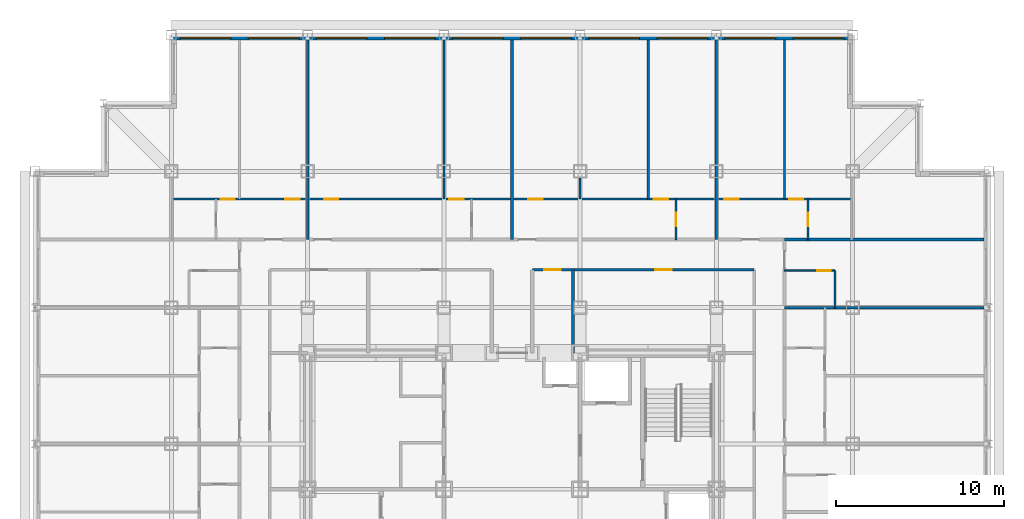
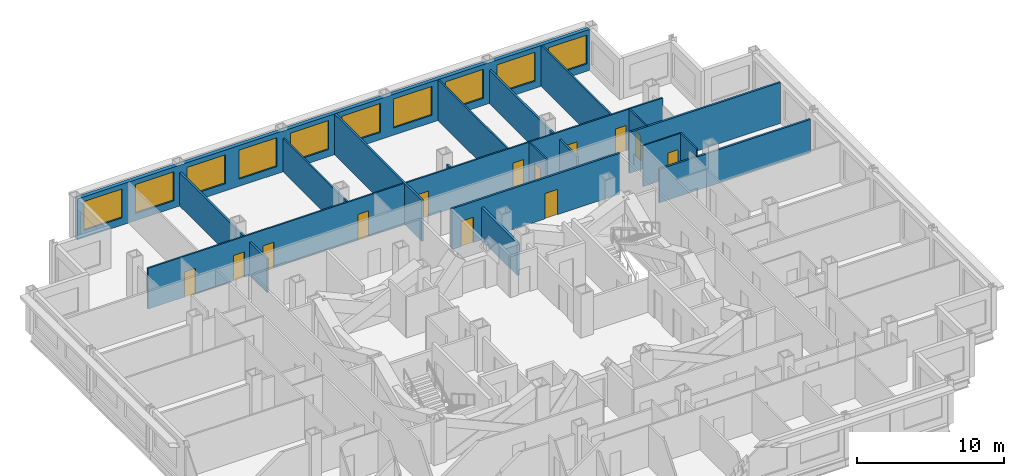
# One storey, part 10 of 12: 17 walls, 13 doors, 10 windows, 23 openings.
"""IFC4 building model written with IfcOpenShell, lengths in metres."""

from ifc_helpers import new_model, si_unit, direction, frame, frame_2d, origin, place, context, subcontext, project, spatial, rectangle, extrude, material, layer, layer_set, type_object, element, fill, save


model = new_model("IFC4")

# Units and contexts
model_context = context("Model", 3, precision=1e-05, world=origin(), true_north=direction((0.0, 1.0)))
body_context = subcontext(model_context, "Body", "Model", "MODEL_VIEW")
ifc_project = project(units=[si_unit("LENGTHUNIT", "METRE"), si_unit("AREAUNIT", "SQUARE_METRE"), si_unit("VOLUMEUNIT", "CUBIC_METRE"), si_unit("PLANEANGLEUNIT", "RADIAN"), si_unit("MASSUNIT", "GRAM", prefix="KILO")], contexts=[model_context])

# Site, building, storey
site_placement = place(None, origin())
site = spatial("IfcSite", under=ifc_project, at=site_placement, CompositionType="ELEMENT")
building_placement = place(site_placement, origin())
building = spatial("IfcBuilding", under=site, at=building_placement, Name="Kopane Lantern Tower", CompositionType="ELEMENT")
storey_placement = place(building_placement, frame((0.0, 0.0, 184.800048828125)))
storey = spatial("IfcBuildingStorey", under=building, at=storey_placement, Name="L47", CompositionType="ELEMENT", Elevation=184.800048828125)

# Walls
ifc_material_1 = material(Name="Gypsum board on steel studs", Category="steel")
ifc_layer_1 = layer(ifc_material_1, 0.1201171875)
ifc_layer_set_1 = layer_set([ifc_layer_1], Name="APARTMENT INTERNAL WALL 120")
wall_type_1 = type_object("IfcWallType", Name="APARTMENT INTERNAL WALL 120", PredefinedType="PARTITIONING", material=ifc_layer_set_1)
wall_1_placement = place(storey_placement, frame((24.300048828125, 49.64990234375, 0.0), z_axis=(0.0, 0.0, 1.0), x_axis=(0.0, 1.0, 0.0)))
element("IfcWall", 1, at=wall_1_placement, inside=storey, type_object=wall_type_1, Name="Apartment Internal Wall 120 L47", PredefinedType="PARTITIONING", context=body_context, shape_type="SweptSolid", body=[
    extrude(rectangle(XDim=9.4501953125, YDim=0.1201171875, at=frame_2d((4.72509765625, 0.0))), origin(), (0.0, 0.0, 1.0), 2.77783203125),
])
for number, where, z_axis, x_axis, name in (
    (2, (36.449951171875, 49.64990234375, 0.0), (0.0, 0.0, 1.0), (0.0, 1.0, 0.0), "Apartment Internal Wall 120 L47"),
    (3, (44.550048828125, 49.64990234375, 0.0), (0.0, 0.0, 1.0), (0.0, 1.0, 0.0), "Apartment Internal Wall 120 L47"),
):
    element("IfcWall", number, at=place(storey_placement, frame(where, z_axis=z_axis, x_axis=x_axis)), inside=storey, type_object=wall_type_1, Name=name, PredefinedType="PARTITIONING", context=body_context, shape_type="SweptSolid", body=[
        extrude(rectangle(XDim=9.4501953125, YDim=0.1201171875, at=frame_2d((4.72509765625, 0.0))), origin(), (0.0, 0.0, 1.0), 3.389892578125),
    ])

# Wall, openings, doors
wall_2_placement = place(storey_placement, frame((8.14990234375, 49.64990234375, 0.0), z_axis=(0.0, 0.0, 1.0), x_axis=(1.0, 0.0, 0.0)))
wall_2 = element("IfcWall", 4, at=wall_2_placement, inside=storey, type_object=wall_type_1, Name="Apartment Internal Wall 120 L47", PredefinedType="PARTITIONING", context=body_context, shape_type="SweptSolid", body=[
    extrude(rectangle(XDim=40.400146484375, YDim=0.1201171875, at=frame_2d((20.2001953125, 0.0))), origin(), (0.0, 0.0, 1.0), 3.389892578125),
])
opening_1_placement = place(wall_2_placement, frame((9.02490234375, 0.0, 0.0)))
opening_1 = element("IfcOpeningElement", 5, at=opening_1_placement, cuts=wall_2, Name="Opening L47-026", PredefinedType="OPENING", context=body_context, shape_type="SweptSolid", body=[
    extrude(rectangle(XDim=0.85009765625, YDim=2.10009765625, at=frame_2d((0.425048828125, 1.050048828125))), frame((0.0, 0.070068359375, 0.0), z_axis=(0.0, -1.0, 0.0), x_axis=(1.0, 0.0, 0.0)), (0.0, 0.0, 1.0), 0.14013671875),
])
opening_2_placement = place(wall_2_placement, frame((16.47509765625, 0.0, 0.0)))
opening_2 = element("IfcOpeningElement", 6, at=opening_2_placement, cuts=wall_2, Name="Opening L47-027", PredefinedType="OPENING", context=body_context, shape_type="SweptSolid", body=[
    extrude(rectangle(XDim=0.85009765625, YDim=2.10009765625, at=frame_2d((0.425048828125, 1.050048828125))), frame((0.0, 0.070068359375, 0.0), z_axis=(0.0, -1.0, 0.0), x_axis=(1.0, 0.0, 0.0)), (0.0, 0.0, 1.0), 0.14013671875),
])
opening_3_placement = place(wall_2_placement, frame((21.175048828125, 0.0, 0.0)))
opening_3 = element("IfcOpeningElement", 7, at=opening_3_placement, cuts=wall_2, Name="Opening L47-030", PredefinedType="OPENING", context=body_context, shape_type="SweptSolid", body=[
    extrude(rectangle(XDim=0.85009765625, YDim=2.10009765625, at=frame_2d((0.425048828125, 1.050048828125))), frame((0.0, 0.070068359375, 0.0), z_axis=(0.0, -1.0, 0.0), x_axis=(1.0, 0.0, 0.0)), (0.0, 0.0, 1.0), 0.14013671875),
])
opening_4_placement = place(wall_2_placement, frame((28.625, 0.0, 0.0)))
opening_4 = element("IfcOpeningElement", 8, at=opening_4_placement, cuts=wall_2, Name="Opening L47-031", PredefinedType="OPENING", context=body_context, shape_type="SweptSolid", body=[
    extrude(rectangle(XDim=0.85009765625, YDim=2.10009765625, at=frame_2d((0.425048828125, 1.050048828125))), frame((0.0, 0.070068359375, 0.0), z_axis=(0.0, -1.0, 0.0), x_axis=(1.0, 0.0, 0.0)), (0.0, 0.0, 1.0), 0.14013671875),
])
opening_5_placement = place(wall_2_placement, frame((32.824951171875, 0.0, 0.0)))
opening_5 = element("IfcOpeningElement", 9, at=opening_5_placement, cuts=wall_2, Name="Opening L47-069", PredefinedType="OPENING", context=body_context, shape_type="SweptSolid", body=[
    extrude(rectangle(XDim=0.85009765625, YDim=2.10009765625, at=frame_2d((0.425048828125, 1.050048828125))), frame((0.0, 0.070068359375, 0.0), z_axis=(0.0, -1.0, 0.0), x_axis=(1.0, 0.0, 0.0)), (0.0, 0.0, 1.0), 0.14013671875),
])
opening_6_placement = place(wall_2_placement, frame((36.675048828125, 0.0, 0.0)))
opening_6 = element("IfcOpeningElement", 10, at=opening_6_placement, cuts=wall_2, Name="Opening L47-071", PredefinedType="OPENING", context=body_context, shape_type="SweptSolid", body=[
    extrude(rectangle(XDim=0.85009765625, YDim=2.10009765625, at=frame_2d((0.425048828125, 1.050048828125))), frame((0.0, 0.070068359375, 0.0), z_axis=(0.0, -1.0, 0.0), x_axis=(1.0, 0.0, 0.0)), (0.0, 0.0, 1.0), 0.14013671875),
])
opening_7_placement = place(wall_2_placement, frame((6.72509765625, 0.0, 0.0)))
opening_7 = element("IfcOpeningElement", 11, at=opening_7_placement, cuts=wall_2, Name="Opening L47-073", PredefinedType="OPENING", context=body_context, shape_type="SweptSolid", body=[
    extrude(rectangle(XDim=0.85009765625, YDim=2.10009765625, at=frame_2d((0.425048828125, 1.050048828125))), frame((0.0, 0.070068359375, 0.0), z_axis=(0.0, -1.0, 0.0), x_axis=(1.0, 0.0, 0.0)), (0.0, 0.0, 1.0), 0.14013671875),
])
opening_8_placement = place(wall_2_placement, frame((2.875, 0.0, 0.0)))
opening_8 = element("IfcOpeningElement", 12, at=opening_8_placement, cuts=wall_2, Name="Opening L47-075", PredefinedType="OPENING", context=body_context, shape_type="SweptSolid", body=[
    extrude(rectangle(XDim=0.85009765625, YDim=2.10009765625, at=frame_2d((0.425048828125, 1.050048828125))), frame((0.0, 0.070068359375, 0.0), z_axis=(0.0, -1.0, 0.0), x_axis=(1.0, 0.0, 0.0)), (0.0, 0.0, 1.0), 0.14013671875),
])
ifc_material_2 = material(Name="Timber door set", Category="wood")
door_type_1 = type_object("IfcDoorType", Name="DOOR D4 850x2100", OperationType="SINGLE_SWING_LEFT", PredefinedType="DOOR", material=ifc_material_2)
door_1_placement = place(opening_1_placement, origin())
door_1 = element("IfcDoor", 13, at=door_1_placement, inside=storey, type_object=door_type_1, Name="Door L47-026", OperationType="SINGLE_SWING_LEFT", OverallHeight=2.10009765625, OverallWidth=0.85009765625, PredefinedType="DOOR", context=body_context, shape_type="SweptSolid", body=[
    extrude(rectangle(XDim=0.85009765625, YDim=2.10009765625, at=frame_2d((0.425048828125, 1.050048828125))), frame((0.0, 0.02490234375, 0.0), z_axis=(0.0, -1.0, 0.0), x_axis=(1.0, 0.0, 0.0)), (0.0, 0.0, 1.0), 0.050048828125),
])
fill(opening_1, door_1)
door_2_placement = place(opening_2_placement, origin())
door_2 = element("IfcDoor", 14, at=door_2_placement, inside=storey, type_object=door_type_1, Name="Door L47-027", OperationType="SINGLE_SWING_LEFT", OverallHeight=2.10009765625, OverallWidth=0.85009765625, PredefinedType="DOOR", context=body_context, shape_type="SweptSolid", body=[
    extrude(rectangle(XDim=0.85009765625, YDim=2.10009765625, at=frame_2d((0.425048828125, 1.050048828125))), frame((0.0, 0.02490234375, 0.0), z_axis=(0.0, -1.0, 0.0), x_axis=(1.0, 0.0, 0.0)), (0.0, 0.0, 1.0), 0.050048828125),
])
fill(opening_2, door_2)
door_3_placement = place(opening_3_placement, origin())
door_3 = element("IfcDoor", 15, at=door_3_placement, inside=storey, type_object=door_type_1, Name="Door L47-030", OperationType="SINGLE_SWING_RIGHT", OverallHeight=2.10009765625, OverallWidth=0.85009765625, PredefinedType="DOOR", context=body_context, shape_type="SweptSolid", body=[
    extrude(rectangle(XDim=0.85009765625, YDim=2.10009765625, at=frame_2d((0.425048828125, 1.050048828125))), frame((0.0, 0.02490234375, 0.0), z_axis=(0.0, -1.0, 0.0), x_axis=(1.0, 0.0, 0.0)), (0.0, 0.0, 1.0), 0.050048828125),
])
fill(opening_3, door_3)
door_4_placement = place(opening_4_placement, origin())
door_4 = element("IfcDoor", 16, at=door_4_placement, inside=storey, type_object=door_type_1, Name="Door L47-031", OperationType="SINGLE_SWING_LEFT", OverallHeight=2.10009765625, OverallWidth=0.85009765625, PredefinedType="DOOR", context=body_context, shape_type="SweptSolid", body=[
    extrude(rectangle(XDim=0.85009765625, YDim=2.10009765625, at=frame_2d((0.425048828125, 1.050048828125))), frame((0.0, 0.02490234375, 0.0), z_axis=(0.0, -1.0, 0.0), x_axis=(1.0, 0.0, 0.0)), (0.0, 0.0, 1.0), 0.050048828125),
])
fill(opening_4, door_4)
door_5_placement = place(opening_5_placement, origin())
door_5 = element("IfcDoor", 17, at=door_5_placement, inside=storey, type_object=door_type_1, Name="Door L47-069", OperationType="SINGLE_SWING_RIGHT", OverallHeight=2.10009765625, OverallWidth=0.85009765625, PredefinedType="DOOR", context=body_context, shape_type="SweptSolid", body=[
    extrude(rectangle(XDim=0.85009765625, YDim=2.10009765625, at=frame_2d((0.425048828125, 1.050048828125))), frame((0.0, 0.02490234375, 0.0), z_axis=(0.0, -1.0, 0.0), x_axis=(1.0, 0.0, 0.0)), (0.0, 0.0, 1.0), 0.050048828125),
])
fill(opening_5, door_5)
door_6_placement = place(opening_6_placement, origin())
door_6 = element("IfcDoor", 18, at=door_6_placement, inside=storey, type_object=door_type_1, Name="Door L47-071", OperationType="SINGLE_SWING_LEFT", OverallHeight=2.10009765625, OverallWidth=0.85009765625, PredefinedType="DOOR", context=body_context, shape_type="SweptSolid", body=[
    extrude(rectangle(XDim=0.85009765625, YDim=2.10009765625, at=frame_2d((0.425048828125, 1.050048828125))), frame((0.0, 0.02490234375, 0.0), z_axis=(0.0, -1.0, 0.0), x_axis=(1.0, 0.0, 0.0)), (0.0, 0.0, 1.0), 0.050048828125),
])
fill(opening_6, door_6)
door_7_placement = place(opening_7_placement, origin())
door_7 = element("IfcDoor", 19, at=door_7_placement, inside=storey, type_object=door_type_1, Name="Door L47-073", OperationType="SINGLE_SWING_LEFT", OverallHeight=2.10009765625, OverallWidth=0.85009765625, PredefinedType="DOOR", context=body_context, shape_type="SweptSolid", body=[
    extrude(rectangle(XDim=0.85009765625, YDim=2.10009765625, at=frame_2d((0.425048828125, 1.050048828125))), frame((0.0, 0.02490234375, 0.0), z_axis=(0.0, -1.0, 0.0), x_axis=(1.0, 0.0, 0.0)), (0.0, 0.0, 1.0), 0.050048828125),
])
fill(opening_7, door_7)
door_8_placement = place(opening_8_placement, origin())
door_8 = element("IfcDoor", 20, at=door_8_placement, inside=storey, type_object=door_type_1, Name="Door L47-075", OperationType="SINGLE_SWING_RIGHT", OverallHeight=2.10009765625, OverallWidth=0.85009765625, PredefinedType="DOOR", context=body_context, shape_type="SweptSolid", body=[
    extrude(rectangle(XDim=0.85009765625, YDim=2.10009765625, at=frame_2d((0.425048828125, 1.050048828125))), frame((0.0, 0.02490234375, 0.0), z_axis=(0.0, -1.0, 0.0), x_axis=(1.0, 0.0, 0.0)), (0.0, 0.0, 1.0), 0.050048828125),
])
fill(opening_8, door_8)

# Wall
wall_3_placement = place(storey_placement, frame((32.39990234375, 49.64990234375, 0.0), z_axis=(0.0, 0.0, 1.0), x_axis=(0.0, 1.0, 0.0)))
element("IfcWall", 21, at=wall_3_placement, inside=storey, type_object=wall_type_1, Name="Apartment Internal Wall 120 L47", PredefinedType="PARTITIONING", context=body_context, shape_type="SweptSolid", body=[
    extrude(rectangle(XDim=1.25, YDim=0.1201171875, at=frame_2d((0.625, 0.0))), origin(), (0.0, 0.0, 1.0), 2.77783203125),
])

# Wall, opening, door
ifc_material_3 = material(Name="Moisture-resistant board on steel studs", Category="steel")
ifc_layer_2 = layer(ifc_material_3, 0.10009765625)
ifc_layer_set_2 = layer_set([ifc_layer_2], Name="BATHROOM WALL 100")
wall_type_2 = type_object("IfcWallType", Name="BATHROOM WALL 100", PredefinedType="PARTITIONING", material=ifc_layer_set_2)
wall_4_placement = place(storey_placement, frame((38.10009765625, 47.25, 0.0), z_axis=(0.0, 0.0, 1.0), x_axis=(0.0, 1.0, 0.0)))
wall_4 = element("IfcWall", 22, at=wall_4_placement, inside=storey, type_object=wall_type_2, Name="Bathroom Wall 100 L47", PredefinedType="PARTITIONING", context=body_context, shape_type="SweptSolid", body=[
    extrude(rectangle(XDim=2.39990234375, YDim=0.10009765625, at=frame_2d((1.199951171875, 0.0))), origin(), (0.0, 0.0, 1.0), 3.389892578125),
])
opening_9_placement = place(wall_4_placement, frame((0.800048828125, 0.0, 0.0)))
opening_9 = element("IfcOpeningElement", 23, at=opening_9_placement, cuts=wall_4, Name="Opening L47-028", PredefinedType="OPENING", context=body_context, shape_type="SweptSolid", body=[
    extrude(rectangle(XDim=0.800048828125, YDim=2.10009765625, at=frame_2d((0.39990234375, 1.050048828125))), frame((0.0, 0.06005859375, 0.0), z_axis=(0.0, -1.0, 0.0), x_axis=(1.0, 0.0, 0.0)), (0.0, 0.0, 1.0), 0.1201171875),
])
ifc_material_4 = material(Name="Timber door set", Category="wood")
door_type_2 = type_object("IfcDoorType", Name="DOOR D2 800x2100", OperationType="SINGLE_SWING_LEFT", PredefinedType="DOOR", material=ifc_material_4)
door_9_placement = place(opening_9_placement, origin())
door_9 = element("IfcDoor", 24, at=door_9_placement, inside=storey, type_object=door_type_2, Name="Door L47-028", OperationType="SINGLE_SWING_RIGHT", OverallHeight=2.10009765625, OverallWidth=0.800048828125, PredefinedType="DOOR", context=body_context, shape_type="SweptSolid", body=[
    extrude(rectangle(XDim=0.800048828125, YDim=2.10009765625, at=frame_2d((0.39990234375, 1.050048828125))), frame((0.0, 0.02490234375, 0.0), z_axis=(0.0, -1.0, 0.0), x_axis=(1.0, 0.0, 0.0)), (0.0, 0.0, 1.0), 0.050048828125),
])
fill(opening_9, door_9)

# Wall
wall_5_placement = place(storey_placement, frame((47.550048828125, 43.199951171875, 0.0), z_axis=(0.0, 0.0, 1.0), x_axis=(0.0, 1.0, 0.0)))
element("IfcWall", 25, at=wall_5_placement, inside=storey, type_object=wall_type_2, Name="Bathroom Wall 100 L47", PredefinedType="PARTITIONING", context=body_context, shape_type="SweptSolid", body=[
    extrude(rectangle(XDim=2.199951171875, YDim=0.10009765625, at=frame_2d((1.10009765625, 0.0))), origin(), (0.0, 0.0, 1.0), 3.389892578125),
])

# Wall, opening, door
wall_6_placement = place(storey_placement, frame((44.550048828125, 45.39990234375, 0.0), z_axis=(0.0, 0.0, 1.0), x_axis=(1.0, 0.0, 0.0)))
wall_6 = element("IfcWall", 26, at=wall_6_placement, inside=storey, type_object=wall_type_2, Name="Bathroom Wall 100 L47", PredefinedType="PARTITIONING", context=body_context, shape_type="SweptSolid", body=[
    extrude(rectangle(XDim=3.0, YDim=0.10009765625, at=frame_2d((1.5, 0.0))), origin(), (0.0, 0.0, 1.0), 3.389892578125),
])
opening_10_placement = place(wall_6_placement, frame((1.949951171875, 0.0, 0.0)))
opening_10 = element("IfcOpeningElement", 27, at=opening_10_placement, cuts=wall_6, Name="Opening L47-058", PredefinedType="OPENING", context=body_context, shape_type="SweptSolid", body=[
    extrude(rectangle(XDim=0.800048828125, YDim=2.10009765625, at=frame_2d((0.39990234375, 1.050048828125))), frame((0.0, 0.06005859375, 0.0), z_axis=(0.0, -1.0, 0.0), x_axis=(1.0, 0.0, 0.0)), (0.0, 0.0, 1.0), 0.1201171875),
])
door_10_placement = place(opening_10_placement, origin())
door_10 = element("IfcDoor", 28, at=door_10_placement, inside=storey, type_object=door_type_2, Name="Door L47-058", OperationType="SINGLE_SWING_LEFT", OverallHeight=2.10009765625, OverallWidth=0.800048828125, PredefinedType="DOOR", context=body_context, shape_type="SweptSolid", body=[
    extrude(rectangle(XDim=0.800048828125, YDim=2.10009765625, at=frame_2d((0.39990234375, 1.050048828125))), frame((0.0, 0.02490234375, 0.0), z_axis=(0.0, -1.0, 0.0), x_axis=(1.0, 0.0, 0.0)), (0.0, 0.0, 1.0), 0.050048828125),
])
fill(opening_10, door_10)

wall_7_placement = place(storey_placement, frame((45.949951171875, 47.25, 0.0), z_axis=(0.0, 0.0, 1.0), x_axis=(0.0, 1.0, 0.0)))
wall_7 = element("IfcWall", 29, at=wall_7_placement, inside=storey, type_object=wall_type_2, Name="Bathroom Wall 100 L47", PredefinedType="PARTITIONING", context=body_context, shape_type="SweptSolid", body=[
    extrude(rectangle(XDim=2.39990234375, YDim=0.10009765625, at=frame_2d((1.199951171875, 0.0))), origin(), (0.0, 0.0, 1.0), 3.389892578125),
])
opening_11_placement = place(wall_7_placement, frame((0.800048828125, 0.0, 0.0)))
opening_11 = element("IfcOpeningElement", 30, at=opening_11_placement, cuts=wall_7, Name="Opening L47-070", PredefinedType="OPENING", context=body_context, shape_type="SweptSolid", body=[
    extrude(rectangle(XDim=0.800048828125, YDim=2.10009765625, at=frame_2d((0.39990234375, 1.050048828125))), frame((0.0, 0.06005859375, 0.0), z_axis=(0.0, -1.0, 0.0), x_axis=(1.0, 0.0, 0.0)), (0.0, 0.0, 1.0), 0.1201171875),
])
door_11_placement = place(opening_11_placement, origin())
door_11 = element("IfcDoor", 31, at=door_11_placement, inside=storey, type_object=door_type_2, Name="Door L47-070", OperationType="SINGLE_SWING_RIGHT", OverallHeight=2.10009765625, OverallWidth=0.800048828125, PredefinedType="DOOR", context=body_context, shape_type="SweptSolid", body=[
    extrude(rectangle(XDim=0.800048828125, YDim=2.10009765625, at=frame_2d((0.39990234375, 1.050048828125))), frame((0.0, 0.02490234375, 0.0), z_axis=(0.0, -1.0, 0.0), x_axis=(1.0, 0.0, 0.0)), (0.0, 0.0, 1.0), 0.050048828125),
])
fill(opening_11, door_11)

# Wall, openings, doors
ifc_material_5 = material(Name="Gypsum board on steel studs", Category="steel")
ifc_layer_3 = layer(ifc_material_5, 0.14990234375)
ifc_layer_set_3 = layer_set([ifc_layer_3], Name="CORRIDOR WALL 150 EI 60")
wall_type_3 = type_object("IfcWallType", Name="CORRIDOR WALL 150 EI 60", PredefinedType="PARTITIONING", material=ifc_layer_set_3)
wall_8_placement = place(storey_placement, frame((42.75, 45.449951171875, 0.0), z_axis=(0.0, 0.0, 1.0), x_axis=(-1.0, 0.0, 0.0)))
wall_8 = element("IfcWall", 32, at=wall_8_placement, inside=storey, type_object=wall_type_3, Name="Corridor Wall 150 Ei 60 L47", PredefinedType="PARTITIONING", context=body_context, shape_type="SweptSolid", body=[
    extrude(rectangle(XDim=13.18994140625, YDim=0.14990234375, at=frame_2d((6.594970703125, 0.0))), origin(), (0.0, 0.0, 1.0), 3.389892578125),
])
opening_12_placement = place(wall_8_placement, frame((11.48779296875, 0.0, 0.0)))
opening_12 = element("IfcOpeningElement", 33, at=opening_12_placement, cuts=wall_8, Name="Opening L47-010", PredefinedType="OPENING", context=body_context, shape_type="SweptSolid", body=[
    extrude(rectangle(XDim=1.0, YDim=2.10009765625, at=frame_2d((0.5, 1.050048828125))), frame((0.0, 0.0849609375, 0.0), z_axis=(0.0, -1.0, 0.0), x_axis=(1.0, 0.0, 0.0)), (0.0, 0.0, 1.0), 0.169921875),
])
opening_13_placement = place(wall_8_placement, frame((4.887939453125, 0.0, 0.0)))
opening_13 = element("IfcOpeningElement", 34, at=opening_13_placement, cuts=wall_8, Name="Opening L47-011", PredefinedType="OPENING", context=body_context, shape_type="SweptSolid", body=[
    extrude(rectangle(XDim=1.0, YDim=2.10009765625, at=frame_2d((0.5, 1.050048828125))), frame((0.0, 0.0849609375, 0.0), z_axis=(0.0, -1.0, 0.0), x_axis=(1.0, 0.0, 0.0)), (0.0, 0.0, 1.0), 0.169921875),
])
ifc_material_6 = material(Name="Steel door set", Category="steel")
door_type_3 = type_object("IfcDoorType", Name="DOOR D5 1000x2100 FD60", OperationType="SINGLE_SWING_LEFT", PredefinedType="DOOR", material=ifc_material_6)
door_12_placement = place(opening_12_placement, origin())
door_12 = element("IfcDoor", 35, at=door_12_placement, inside=storey, type_object=door_type_3, Name="Door L47-010", OperationType="SINGLE_SWING_RIGHT", OverallHeight=2.10009765625, OverallWidth=1.0, PredefinedType="DOOR", context=body_context, shape_type="SweptSolid", body=[
    extrude(rectangle(XDim=1.0, YDim=2.10009765625, at=frame_2d((0.5, 1.050048828125))), frame((0.0, 0.02490234375, 0.0), z_axis=(0.0, -1.0, 0.0), x_axis=(1.0, 0.0, 0.0)), (0.0, 0.0, 1.0), 0.050048828125),
])
fill(opening_12, door_12)
door_13_placement = place(opening_13_placement, origin())
door_13 = element("IfcDoor", 36, at=door_13_placement, inside=storey, type_object=door_type_3, Name="Door L47-011", OperationType="SINGLE_SWING_LEFT", OverallHeight=2.10009765625, OverallWidth=1.0, PredefinedType="DOOR", context=body_context, shape_type="SweptSolid", body=[
    extrude(rectangle(XDim=1.0, YDim=2.10009765625, at=frame_2d((0.5, 1.050048828125))), frame((0.0, 0.02490234375, 0.0), z_axis=(0.0, -1.0, 0.0), x_axis=(1.0, 0.0, 0.0)), (0.0, 0.0, 1.0), 0.050048828125),
])
fill(opening_13, door_13)

# Walls
ifc_material_7 = material(Name="Gypsum board on steel studs", Category="steel")
ifc_layer_4 = layer(ifc_material_7, 0.14990234375)
ifc_layer_set_4 = layer_set([ifc_layer_4], Name="DEMISING WALL 150 EI 60")
wall_type_4 = type_object("IfcWallType", Name="DEMISING WALL 150 EI 60", PredefinedType="PARTITIONING", material=ifc_layer_set_4)
wall_9_placement = place(storey_placement, frame((28.35009765625, 47.25, 0.0), z_axis=(0.0, 0.0, 1.0), x_axis=(0.0, 1.0, 0.0)))
element("IfcWall", 37, at=wall_9_placement, inside=storey, type_object=wall_type_4, Name="Demising Wall 150 Ei 60 L47", PredefinedType="PARTITIONING", context=body_context, shape_type="SweptSolid", body=[
    extrude(rectangle(XDim=11.85009765625, YDim=0.14990234375, at=frame_2d((5.925048828125, 0.0))), origin(), (0.0, 0.0, 1.0), 3.389892578125),
])
wall_10_placement = place(storey_placement, frame((44.550048828125, 43.199951171875, 0.0), z_axis=(0.0, 0.0, 1.0), x_axis=(1.0, 0.0, 0.0)))
element("IfcWall", 38, at=wall_10_placement, inside=storey, type_object=wall_type_4, Name="Demising Wall 150 Ei 60 L47", PredefinedType="PARTITIONING", context=body_context, shape_type="SweptSolid", body=[
    extrude(rectangle(XDim=11.849853515625, YDim=0.14990234375, at=frame_2d((5.9248046875, 0.0))), origin(), (0.0, 0.0, 1.0), 2.77783203125),
])
wall_11_placement = place(storey_placement, frame((44.550048828125, 47.25, 0.0), z_axis=(0.0, 0.0, 1.0), x_axis=(1.0, 0.0, 0.0)))
element("IfcWall", 39, at=wall_11_placement, inside=storey, type_object=wall_type_4, Name="Demising Wall 150 Ei 60 L47", PredefinedType="PARTITIONING", context=body_context, shape_type="SweptSolid", body=[
    extrude(rectangle(XDim=11.849853515625, YDim=0.14990234375, at=frame_2d((5.9248046875, 0.0))), origin(), (0.0, 0.0, 1.0), 3.389892578125),
])
for number, where, z_axis, x_axis, name in (
    (40, (40.5, 47.25, 0.0), (0.0, 0.0, 1.0), (0.0, 1.0, 0.0), "Demising Wall 150 Ei 60 L47"),
    (41, (16.199951171875, 47.25, 0.0), (0.0, 0.0, 1.0), (0.0, 1.0, 0.0), "Demising Wall 150 Ei 60 L47"),
):
    element("IfcWall", number, at=place(storey_placement, frame(where, z_axis=z_axis, x_axis=x_axis)), inside=storey, type_object=wall_type_4, Name=name, PredefinedType="PARTITIONING", context=body_context, shape_type="SweptSolid", body=[
        extrude(rectangle(XDim=11.85009765625, YDim=0.14990234375, at=frame_2d((5.925048828125, 0.0))), origin(), (0.0, 0.0, 1.0), 2.77783203125),
    ])

# Wall, openings, windows
ifc_material_8 = material(Name="Terracotta rainscreen on light steel framing", Category="masonry")
ifc_layer_5 = layer(ifc_material_8, 0.300048828125)
ifc_layer_set_5 = layer_set([ifc_layer_5], Name="EXTERNAL WALL EW1 300 TERRACOTTA")
wall_type_5 = type_object("IfcWallType", Name="EXTERNAL WALL EW1 300 TERRACOTTA", PredefinedType="SOLIDWALL", material=ifc_layer_set_5)
wall_12_placement = place(storey_placement, frame((48.300048828125, 59.25, 0.0), z_axis=(0.0, 0.0, 1.0), x_axis=(-1.0, 0.0, 0.0)))
wall_12 = element("IfcWall", 42, at=wall_12_placement, inside=storey, type_object=wall_type_5, Name="External wall N L47", PredefinedType="SOLIDWALL", context=body_context, shape_type="SweptSolid", body=[
    extrude(rectangle(XDim=40.199951171875, YDim=0.300048828125, at=frame_2d((20.10009765625, 0.0))), origin(), (0.0, 0.0, 1.0), 3.389892578125),
])
opening_14_placement = place(wall_12_placement, frame((0.22509765625, 0.0, 0.60009765625)))
opening_14 = element("IfcOpeningElement", 43, at=opening_14_placement, cuts=wall_12, Name="Opening WR300240", PredefinedType="OPENING", context=body_context, shape_type="SweptSolid", body=[
    extrude(rectangle(XDim=3.0, YDim=2.39990234375, at=frame_2d((1.5, 1.199951171875))), frame((0.0, 0.159912109375, 0.0), z_axis=(0.0, -1.0, 0.0), x_axis=(1.0, 0.0, 0.0)), (0.0, 0.0, 1.0), 0.320068359375),
])
opening_15_placement = place(wall_12_placement, frame((4.27490234375, 0.0, 0.60009765625)))
opening_15 = element("IfcOpeningElement", 44, at=opening_15_placement, cuts=wall_12, Name="Opening WR300240", PredefinedType="OPENING", context=body_context, shape_type="SweptSolid", body=[
    extrude(rectangle(XDim=3.0, YDim=2.39990234375, at=frame_2d((1.5, 1.199951171875))), frame((0.0, 0.159912109375, 0.0), z_axis=(0.0, -1.0, 0.0), x_axis=(1.0, 0.0, 0.0)), (0.0, 0.0, 1.0), 0.320068359375),
])
opening_16_placement = place(wall_12_placement, frame((8.324951171875, 0.0, 0.60009765625)))
opening_16 = element("IfcOpeningElement", 45, at=opening_16_placement, cuts=wall_12, Name="Opening WR300240", PredefinedType="OPENING", context=body_context, shape_type="SweptSolid", body=[
    extrude(rectangle(XDim=3.0, YDim=2.39990234375, at=frame_2d((1.5, 1.199951171875))), frame((0.0, 0.159912109375, 0.0), z_axis=(0.0, -1.0, 0.0), x_axis=(1.0, 0.0, 0.0)), (0.0, 0.0, 1.0), 0.320068359375),
])
opening_17_placement = place(wall_12_placement, frame((12.375, 0.0, 0.60009765625)))
opening_17 = element("IfcOpeningElement", 46, at=opening_17_placement, cuts=wall_12, Name="Opening WR300240", PredefinedType="OPENING", context=body_context, shape_type="SweptSolid", body=[
    extrude(rectangle(XDim=3.0, YDim=2.39990234375, at=frame_2d((1.5, 1.199951171875))), frame((0.0, 0.159912109375, 0.0), z_axis=(0.0, -1.0, 0.0), x_axis=(1.0, 0.0, 0.0)), (0.0, 0.0, 1.0), 0.320068359375),
])
opening_18_placement = place(wall_12_placement, frame((16.425048828125, 0.0, 0.60009765625)))
opening_18 = element("IfcOpeningElement", 47, at=opening_18_placement, cuts=wall_12, Name="Opening WR300240", PredefinedType="OPENING", context=body_context, shape_type="SweptSolid", body=[
    extrude(rectangle(XDim=3.0, YDim=2.39990234375, at=frame_2d((1.5, 1.199951171875))), frame((0.0, 0.159912109375, 0.0), z_axis=(0.0, -1.0, 0.0), x_axis=(1.0, 0.0, 0.0)), (0.0, 0.0, 1.0), 0.320068359375),
])
opening_19_placement = place(wall_12_placement, frame((20.47509765625, 0.0, 0.60009765625)))
opening_19 = element("IfcOpeningElement", 48, at=opening_19_placement, cuts=wall_12, Name="Opening WR300240", PredefinedType="OPENING", context=body_context, shape_type="SweptSolid", body=[
    extrude(rectangle(XDim=3.0, YDim=2.39990234375, at=frame_2d((1.5, 1.199951171875))), frame((0.0, 0.159912109375, 0.0), z_axis=(0.0, -1.0, 0.0), x_axis=(1.0, 0.0, 0.0)), (0.0, 0.0, 1.0), 0.320068359375),
])
opening_20_placement = place(wall_12_placement, frame((24.52490234375, 0.0, 0.60009765625)))
opening_20 = element("IfcOpeningElement", 49, at=opening_20_placement, cuts=wall_12, Name="Opening WR300240", PredefinedType="OPENING", context=body_context, shape_type="SweptSolid", body=[
    extrude(rectangle(XDim=3.0, YDim=2.39990234375, at=frame_2d((1.5, 1.199951171875))), frame((0.0, 0.159912109375, 0.0), z_axis=(0.0, -1.0, 0.0), x_axis=(1.0, 0.0, 0.0)), (0.0, 0.0, 1.0), 0.320068359375),
])
opening_21_placement = place(wall_12_placement, frame((28.574951171875, 0.0, 0.60009765625)))
opening_21 = element("IfcOpeningElement", 50, at=opening_21_placement, cuts=wall_12, Name="Opening WR300240", PredefinedType="OPENING", context=body_context, shape_type="SweptSolid", body=[
    extrude(rectangle(XDim=3.0, YDim=2.39990234375, at=frame_2d((1.5, 1.199951171875))), frame((0.0, 0.159912109375, 0.0), z_axis=(0.0, -1.0, 0.0), x_axis=(1.0, 0.0, 0.0)), (0.0, 0.0, 1.0), 0.320068359375),
])
opening_22_placement = place(wall_12_placement, frame((32.625, 0.0, 0.60009765625)))
opening_22 = element("IfcOpeningElement", 51, at=opening_22_placement, cuts=wall_12, Name="Opening WR300240", PredefinedType="OPENING", context=body_context, shape_type="SweptSolid", body=[
    extrude(rectangle(XDim=3.0, YDim=2.39990234375, at=frame_2d((1.5, 1.199951171875))), frame((0.0, 0.159912109375, 0.0), z_axis=(0.0, -1.0, 0.0), x_axis=(1.0, 0.0, 0.0)), (0.0, 0.0, 1.0), 0.320068359375),
])
opening_23_placement = place(wall_12_placement, frame((36.675048828125, 0.0, 0.60009765625)))
opening_23 = element("IfcOpeningElement", 52, at=opening_23_placement, cuts=wall_12, Name="Opening WR300240", PredefinedType="OPENING", context=body_context, shape_type="SweptSolid", body=[
    extrude(rectangle(XDim=3.0, YDim=2.39990234375, at=frame_2d((1.5, 1.199951171875))), frame((0.0, 0.159912109375, 0.0), z_axis=(0.0, -1.0, 0.0), x_axis=(1.0, 0.0, 0.0)), (0.0, 0.0, 1.0), 0.320068359375),
])
ifc_material_9 = material(Name="Aluminium and clear glass", Category="aluminium")
window_type = type_object("IfcWindowType", Name="RIBBON WINDOW WR300240 3000x2400", PartitioningType="SINGLE_PANEL", PredefinedType="WINDOW", material=ifc_material_9)
window_1_placement = place(opening_14_placement, origin())
window_1 = element("IfcWindow", 53, at=window_1_placement, inside=storey, type_object=window_type, Name="Window N L47", OverallHeight=2.39990234375, OverallWidth=3.0, PartitioningType="SINGLE_PANEL", PredefinedType="WINDOW", context=body_context, shape_type="SweptSolid", body=[
    extrude(rectangle(XDim=3.0, YDim=2.39990234375, at=frame_2d((1.5, 1.199951171875))), frame((0.0, 0.030029296875, 0.0), z_axis=(0.0, -1.0, 0.0), x_axis=(1.0, 0.0, 0.0)), (0.0, 0.0, 1.0), 0.06005859375),
])
fill(opening_14, window_1)
window_2_placement = place(opening_15_placement, origin())
window_2 = element("IfcWindow", 54, at=window_2_placement, inside=storey, type_object=window_type, Name="Window N L47", OverallHeight=2.39990234375, OverallWidth=3.0, PartitioningType="SINGLE_PANEL", PredefinedType="WINDOW", context=body_context, shape_type="SweptSolid", body=[
    extrude(rectangle(XDim=3.0, YDim=2.39990234375, at=frame_2d((1.5, 1.199951171875))), frame((0.0, 0.030029296875, 0.0), z_axis=(0.0, -1.0, 0.0), x_axis=(1.0, 0.0, 0.0)), (0.0, 0.0, 1.0), 0.06005859375),
])
fill(opening_15, window_2)
window_3_placement = place(opening_16_placement, origin())
window_3 = element("IfcWindow", 55, at=window_3_placement, inside=storey, type_object=window_type, Name="Window N L47", OverallHeight=2.39990234375, OverallWidth=3.0, PartitioningType="SINGLE_PANEL", PredefinedType="WINDOW", context=body_context, shape_type="SweptSolid", body=[
    extrude(rectangle(XDim=3.0, YDim=2.39990234375, at=frame_2d((1.5, 1.199951171875))), frame((0.0, 0.030029296875, 0.0), z_axis=(0.0, -1.0, 0.0), x_axis=(1.0, 0.0, 0.0)), (0.0, 0.0, 1.0), 0.06005859375),
])
fill(opening_16, window_3)
window_4_placement = place(opening_17_placement, origin())
window_4 = element("IfcWindow", 56, at=window_4_placement, inside=storey, type_object=window_type, Name="Window N L47", OverallHeight=2.39990234375, OverallWidth=3.0, PartitioningType="SINGLE_PANEL", PredefinedType="WINDOW", context=body_context, shape_type="SweptSolid", body=[
    extrude(rectangle(XDim=3.0, YDim=2.39990234375, at=frame_2d((1.5, 1.199951171875))), frame((0.0, 0.030029296875, 0.0), z_axis=(0.0, -1.0, 0.0), x_axis=(1.0, 0.0, 0.0)), (0.0, 0.0, 1.0), 0.06005859375),
])
fill(opening_17, window_4)
window_5_placement = place(opening_18_placement, origin())
window_5 = element("IfcWindow", 57, at=window_5_placement, inside=storey, type_object=window_type, Name="Window N L47", OverallHeight=2.39990234375, OverallWidth=3.0, PartitioningType="SINGLE_PANEL", PredefinedType="WINDOW", context=body_context, shape_type="SweptSolid", body=[
    extrude(rectangle(XDim=3.0, YDim=2.39990234375, at=frame_2d((1.5, 1.199951171875))), frame((0.0, 0.030029296875, 0.0), z_axis=(0.0, -1.0, 0.0), x_axis=(1.0, 0.0, 0.0)), (0.0, 0.0, 1.0), 0.06005859375),
])
fill(opening_18, window_5)
window_6_placement = place(opening_19_placement, origin())
window_6 = element("IfcWindow", 58, at=window_6_placement, inside=storey, type_object=window_type, Name="Window N L47", OverallHeight=2.39990234375, OverallWidth=3.0, PartitioningType="SINGLE_PANEL", PredefinedType="WINDOW", context=body_context, shape_type="SweptSolid", body=[
    extrude(rectangle(XDim=3.0, YDim=2.39990234375, at=frame_2d((1.5, 1.199951171875))), frame((0.0, 0.030029296875, 0.0), z_axis=(0.0, -1.0, 0.0), x_axis=(1.0, 0.0, 0.0)), (0.0, 0.0, 1.0), 0.06005859375),
])
fill(opening_19, window_6)
window_7_placement = place(opening_20_placement, origin())
window_7 = element("IfcWindow", 59, at=window_7_placement, inside=storey, type_object=window_type, Name="Window N L47", OverallHeight=2.39990234375, OverallWidth=3.0, PartitioningType="SINGLE_PANEL", PredefinedType="WINDOW", context=body_context, shape_type="SweptSolid", body=[
    extrude(rectangle(XDim=3.0, YDim=2.39990234375, at=frame_2d((1.5, 1.199951171875))), frame((0.0, 0.030029296875, 0.0), z_axis=(0.0, -1.0, 0.0), x_axis=(1.0, 0.0, 0.0)), (0.0, 0.0, 1.0), 0.06005859375),
])
fill(opening_20, window_7)
window_8_placement = place(opening_21_placement, origin())
window_8 = element("IfcWindow", 60, at=window_8_placement, inside=storey, type_object=window_type, Name="Window N L47", OverallHeight=2.39990234375, OverallWidth=3.0, PartitioningType="SINGLE_PANEL", PredefinedType="WINDOW", context=body_context, shape_type="SweptSolid", body=[
    extrude(rectangle(XDim=3.0, YDim=2.39990234375, at=frame_2d((1.5, 1.199951171875))), frame((0.0, 0.030029296875, 0.0), z_axis=(0.0, -1.0, 0.0), x_axis=(1.0, 0.0, 0.0)), (0.0, 0.0, 1.0), 0.06005859375),
])
fill(opening_21, window_8)
window_9_placement = place(opening_22_placement, origin())
window_9 = element("IfcWindow", 61, at=window_9_placement, inside=storey, type_object=window_type, Name="Window N L47", OverallHeight=2.39990234375, OverallWidth=3.0, PartitioningType="SINGLE_PANEL", PredefinedType="WINDOW", context=body_context, shape_type="SweptSolid", body=[
    extrude(rectangle(XDim=3.0, YDim=2.39990234375, at=frame_2d((1.5, 1.199951171875))), frame((0.0, 0.030029296875, 0.0), z_axis=(0.0, -1.0, 0.0), x_axis=(1.0, 0.0, 0.0)), (0.0, 0.0, 1.0), 0.06005859375),
])
fill(opening_22, window_9)
window_10_placement = place(opening_23_placement, origin())
window_10 = element("IfcWindow", 62, at=window_10_placement, inside=storey, type_object=window_type, Name="Window N L47", OverallHeight=2.39990234375, OverallWidth=3.0, PartitioningType="SINGLE_PANEL", PredefinedType="WINDOW", context=body_context, shape_type="SweptSolid", body=[
    extrude(rectangle(XDim=3.0, YDim=2.39990234375, at=frame_2d((1.5, 1.199951171875))), frame((0.0, 0.030029296875, 0.0), z_axis=(0.0, -1.0, 0.0), x_axis=(1.0, 0.0, 0.0)), (0.0, 0.0, 1.0), 0.06005859375),
])
fill(opening_23, window_10)

# Wall
ifc_material_10 = material(Name="Concrete masonry", Category="masonry")
ifc_layer_6 = layer(ifc_material_10, 0.199951171875)
ifc_layer_set_6 = layer_set([ifc_layer_6], Name="PLANT ROOM WALL 200 EI 120")
wall_type_6 = type_object("IfcWallType", Name="PLANT ROOM WALL 200 EI 120", PredefinedType="SOLIDWALL", material=ifc_layer_set_6)
wall_13_placement = place(storey_placement, frame((31.97412109375, 45.449951171875, 0.0), z_axis=(0.0, 0.0, 1.0), x_axis=(0.0, -1.0, 0.0)))
element("IfcWall", 63, at=wall_13_placement, inside=storey, type_object=wall_type_6, Name="Plant Room Wall 200 Ei 120 L47", PredefinedType="SOLIDWALL", context=body_context, shape_type="SweptSolid", body=[
    extrude(rectangle(XDim=4.949951171875, YDim=0.199951171875, at=frame_2d((2.47509765625, 0.0))), origin(), (0.0, 0.0, 1.0), 2.68994140625),
])

save(model, "model.ifc")
